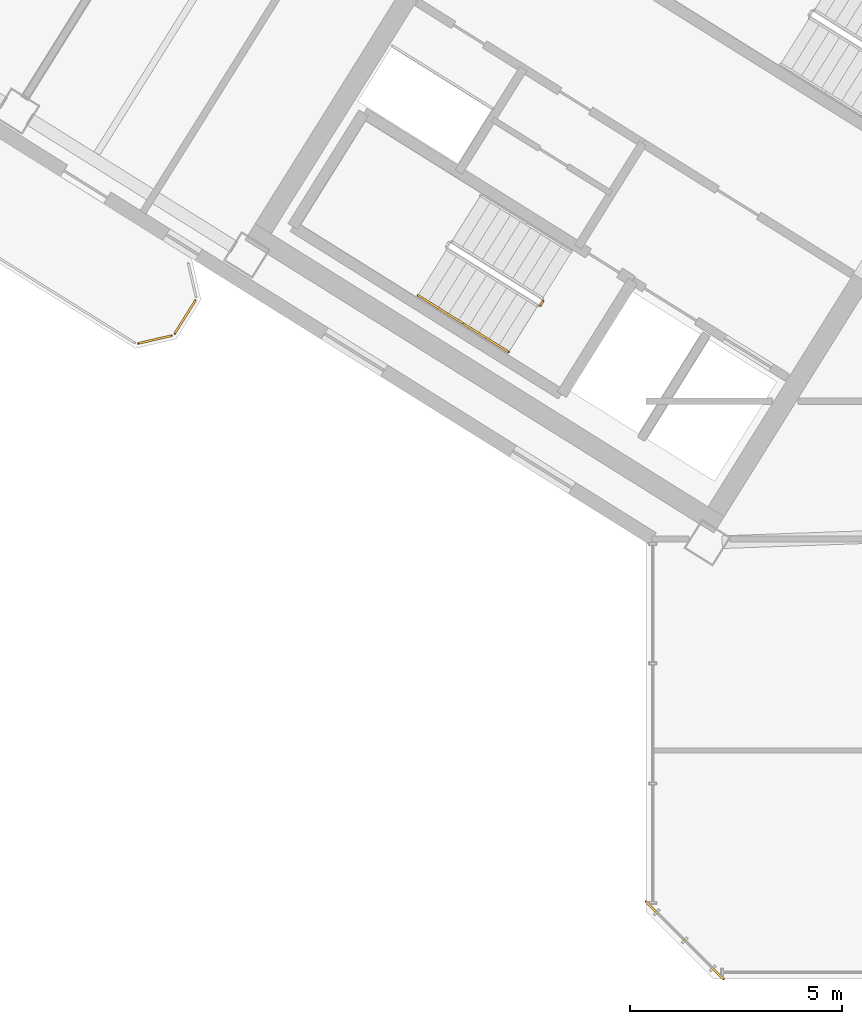
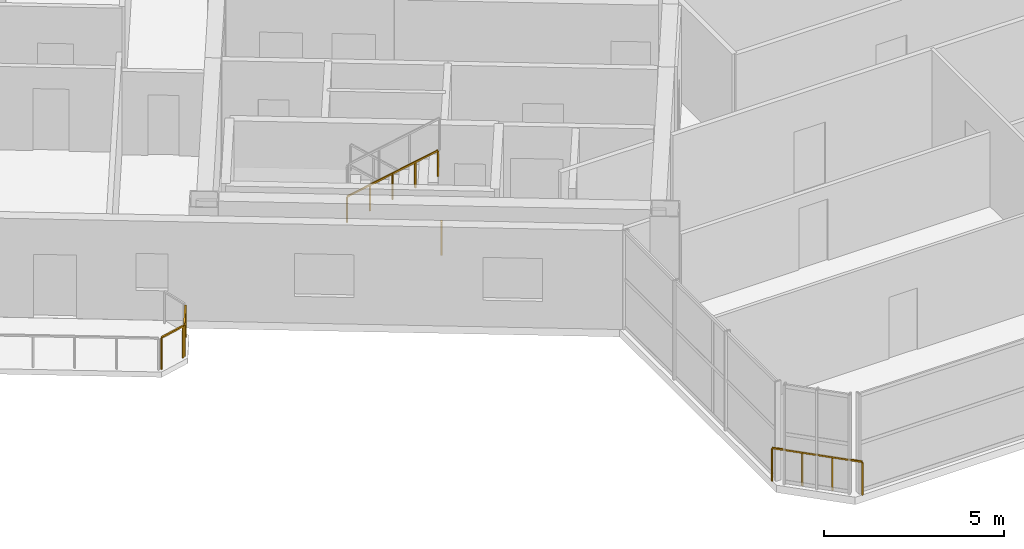
# One storey, part 17 of 20: 6 railings.
"""IFC4 building model written with IfcOpenShell, lengths in metres."""

from ifc_helpers import new_model, si_unit, direction, frame, origin, origin_2d, place, context, subcontext, project, spatial, rectangle, extrude, source, transform, mapped, material, type_object, element, save


model = new_model("IFC4")

# Units and contexts
model_context = context("Model", 3, precision=1e-05, world=origin(), true_north=direction((0.0, 1.0)))
body_context = subcontext(model_context, "Body", "Model", "MODEL_VIEW")
ifc_project = project(units=[si_unit("LENGTHUNIT", "METRE"), si_unit("AREAUNIT", "SQUARE_METRE"), si_unit("VOLUMEUNIT", "CUBIC_METRE"), si_unit("PLANEANGLEUNIT", "RADIAN"), si_unit("MASSUNIT", "GRAM", prefix="KILO")], contexts=[model_context])

# Site, building, storey
site_placement = place(None, origin())
site = spatial("IfcSite", under=ifc_project, at=site_placement, CompositionType="ELEMENT")
building_placement = place(site_placement, origin())
building = spatial("IfcBuilding", under=site, at=building_placement, Name="Tlacorven Tower", CompositionType="ELEMENT")
storey_placement = place(building_placement, frame((0.0, 0.0, 211.199951171875)))
storey = spatial("IfcBuildingStorey", under=building, at=storey_placement, Name="L53", CompositionType="ELEMENT", Elevation=211.199951171875)

# Railings
ifc_material = material(Name="Aluminium and painted steel balustrade", Category="steel")
railing_type_1 = type_object("IfcRailingType", Name="RL-BAL-1100", PredefinedType="BALUSTRADE", material=ifc_material)
shared_shape_1 = source(origin(), body_context, "Body", "SweptSolid", [
    extrude(rectangle(XDim=0.048095703125, YDim=0.048095703125, at=origin_2d()), frame((0.0, 0.0, 1.076171875), z_axis=(-0.52987865805, -0.848073468364, 0.0), x_axis=(0.848073468364, -0.52987865805, 0.0)), (0.0, 0.0, 1.0), 0.912353515625),
    extrude(rectangle(XDim=0.0419921875, YDim=0.0419921875, at=origin_2d()), origin(), (0.0, 0.0, 1.0), 1.052001953125),
    extrude(rectangle(XDim=0.0419921875, YDim=0.0419921875, at=origin_2d()), frame((-0.4833984375, -0.773681640625, 0.0)), (0.0, 0.0, 1.0), 1.052001953125),
])
railing_1_placement = place(storey_placement, frame((20.976318359375, 17.793701171875, 0.0)))
element("IfcRailing", 1, at=railing_1_placement, inside=storey, type_object=railing_type_1, Name="BAL-L53-W-OUT Guard Railing 2", PredefinedType="BALUSTRADE", context=body_context, shape_type="MappedRepresentation", body=[
    mapped(shared_shape_1, transform((0.0, 0.0, 0.0), scale=1.0)),
])
shared_shape_2 = source(origin(), body_context, "Body", "SweptSolid", [
    extrude(rectangle(XDim=0.048095703125, YDim=0.048095703125, at=origin_2d()), frame((0.0, 0.0, 1.076171875), z_axis=(-0.974345290916, -0.225058334816, 0.0), x_axis=(0.225058334816, -0.974345290916, 0.0)), (0.0, 0.0, 1.0), 0.80712890625),
    extrude(rectangle(XDim=0.0419921875, YDim=0.0419921875, at=origin_2d()), origin(), (0.0, 0.0, 1.0), 1.052001953125),
    extrude(rectangle(XDim=0.0419921875, YDim=0.0419921875, at=origin_2d()), frame((-0.786376953125, -0.181640625, 0.0)), (0.0, 0.0, 1.0), 1.052001953125),
])
railing_2_placement = place(storey_placement, frame((20.417724609375, 16.966552734375, 0.0)))
element("IfcRailing", 2, at=railing_2_placement, inside=storey, type_object=railing_type_1, Name="BAL-L53-W-OUT Guard Railing 3", PredefinedType="BALUSTRADE", context=body_context, shape_type="MappedRepresentation", body=[
    mapped(shared_shape_2, transform((0.0, 0.0, 0.0), scale=1.0)),
])
railing_type_2 = type_object("IfcRailingType", Name="RL-GRD-1150", PredefinedType="GUARDRAIL", material=ifc_material)
shared_shape_3 = source(origin(), body_context, "Body", "SweptSolid", [
    extrude(rectangle(XDim=0.048095703125, YDim=0.048095703125, at=origin_2d()), frame((0.0, 0.0, 1.1259765625), z_axis=(-0.707106781187, 0.707106781187, 0.0), x_axis=(-0.707106781187, -0.707106781187, 0.0)), (0.0, 0.0, 1.0), 2.590087890625),
    extrude(rectangle(XDim=0.0419921875, YDim=0.0419921875, at=origin_2d()), origin(), (0.0, 0.0, 1.0), 1.101806640625),
    extrude(rectangle(XDim=0.0419921875, YDim=0.0419921875, at=origin_2d()), frame((-0.610595703125, 0.610595703125, 0.0)), (0.0, 0.0, 1.0), 1.101806640625),
    extrude(rectangle(XDim=0.0419921875, YDim=0.0419921875, at=origin_2d()), frame((-1.220947265625, 1.220947265625, 0.0)), (0.0, 0.0, 1.0), 1.101806640625),
    extrude(rectangle(XDim=0.0419921875, YDim=0.0419921875, at=origin_2d()), frame((-1.83154296875, 1.83154296875, 0.0)), (0.0, 0.0, 1.0), 1.101806640625),
])
railing_3_placement = place(storey_placement, frame((33.428955078125, 1.79736328125, 0.0)))
element("IfcRailing", 3, at=railing_3_placement, inside=storey, type_object=railing_type_2, Name="L53 Knuckle Glazed Sill Guard 1", PredefinedType="GUARDRAIL", context=body_context, shape_type="MappedRepresentation", body=[
    mapped(shared_shape_3, transform((0.0, 0.0, 0.0), scale=1.0)),
])
railing_type_3 = type_object("IfcRailingType", Name="RL-GRD-1100", PredefinedType="GUARDRAIL", material=ifc_material)
shared_shape_4 = source(origin(), body_context, "Body", "SweptSolid", [
    extrude(rectangle(XDim=0.048095703125, YDim=0.048095703125, at=origin_2d()), frame((0.0, 0.0, 1.076171875), z_axis=(-0.529084052582, -0.848569422795, 0.0), x_axis=(0.848569422795, -0.529084052582, 0.0)), (0.0, 0.0, 1.0), 0.119873046875),
    extrude(rectangle(XDim=0.0419921875, YDim=0.0419921875, at=origin_2d()), origin(), (0.0, 0.0, 1.0), 1.052001953125),
    extrude(rectangle(XDim=0.0419921875, YDim=0.0419921875, at=origin_2d()), frame((-0.0634765625, -0.101806640625, 0.0)), (0.0, 0.0, 1.0), 1.052001953125),
])
railing_4_placement = place(storey_placement, frame((29.176513671875, 17.782958984375, 0.0)))
element("IfcRailing", 4, at=railing_4_placement, inside=storey, type_object=railing_type_3, Name="L53 ST-W1 stair guard 4", PredefinedType="GUARDRAIL", context=body_context, shape_type="MappedRepresentation", body=[
    mapped(shared_shape_4, transform((0.0, 0.0, 0.0), scale=1.0)),
])
railing_type_4 = type_object("IfcRailingType", Name="RL-HND-0900", PredefinedType="HANDRAIL", material=ifc_material)
shared_shape_5 = source(origin(), body_context, "Body", "SweptSolid", [
    extrude(rectangle(XDim=0.048095703125, YDim=0.048095703125, at=origin_2d()), frame((0.0, 0.0, 0.8759765625), z_axis=(0.713359751793, -0.4457479829, 0.540764828981), x_axis=(0.529911857636, 0.848052724267, 0.0)), (0.0, 0.0, 1.0), 1.498046875),
    extrude(rectangle(XDim=0.0419921875, YDim=0.0419921875, at=origin_2d()), origin(), (0.0, 0.0, 1.0), 0.851806640625),
    extrude(rectangle(XDim=0.0419921875, YDim=0.0419921875, at=origin_2d()), frame((0.5341796875, -0.333984375, 0.405029296875)), (0.0, 0.0, 1.0), 0.851806640625),
    extrude(rectangle(XDim=0.0419921875, YDim=0.0419921875, at=origin_2d()), frame((1.068603515625, -0.667724609375, 0.81005859375)), (0.0, 0.0, 1.0), 0.851806640625),
])
railing_5_placement = place(storey_placement, frame((26.228759765625, 17.915283203125, 1.97998046875)))
element("IfcRailing", 5, at=railing_5_placement, inside=storey, type_object=railing_type_4, Name="L53 ST-W1 stair handrail 3", PredefinedType="HANDRAIL", context=body_context, shape_type="MappedRepresentation", body=[
    mapped(shared_shape_5, transform((0.0, 0.0, 0.0), scale=1.0)),
])
shared_shape_6 = source(origin(), body_context, "Body", "SweptSolid", [
    extrude(rectangle(XDim=0.048095703125, YDim=0.048095703125, at=origin_2d()), frame((0.0, 0.0, 0.8759765625), z_axis=(0.713279695859, -0.445799809912, 0.540827703579), x_axis=(0.529998940003, 0.847998304005, 0.0)), (0.0, 0.0, 1.0), 1.497802734375),
    extrude(rectangle(XDim=0.0419921875, YDim=0.0419921875, at=origin_2d()), origin(), (0.0, 0.0, 1.0), 0.851806640625),
    extrude(rectangle(XDim=0.0419921875, YDim=0.0419921875, at=origin_2d()), frame((0.5341796875, -0.333984375, 0.405029296875)), (0.0, 0.0, 1.0), 0.851806640625),
    extrude(rectangle(XDim=0.0419921875, YDim=0.0419921875, at=origin_2d()), frame((1.068359375, -0.667724609375, 0.81005859375)), (0.0, 0.0, 1.0), 0.851806640625),
])
railing_6_placement = place(storey_placement, frame((27.29736328125, 17.24755859375, 2.7900390625)))
element("IfcRailing", 6, at=railing_6_placement, inside=storey, type_object=railing_type_4, Name="L53 ST-W1 stair handrail 4", PredefinedType="HANDRAIL", context=body_context, shape_type="MappedRepresentation", body=[
    mapped(shared_shape_6, transform((0.0, 0.0, 0.0), scale=1.0)),
])

save(model, "model.ifc")
